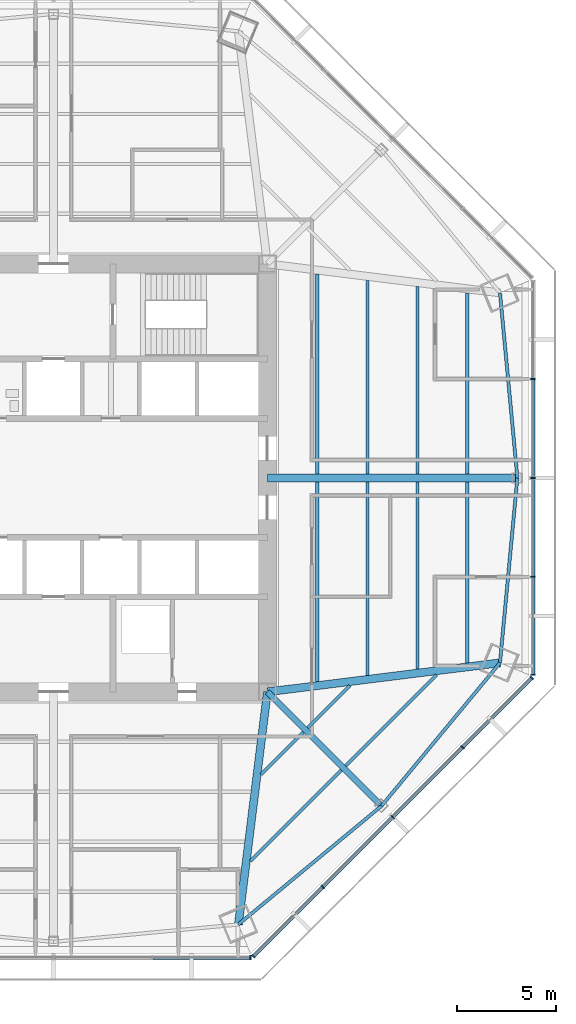
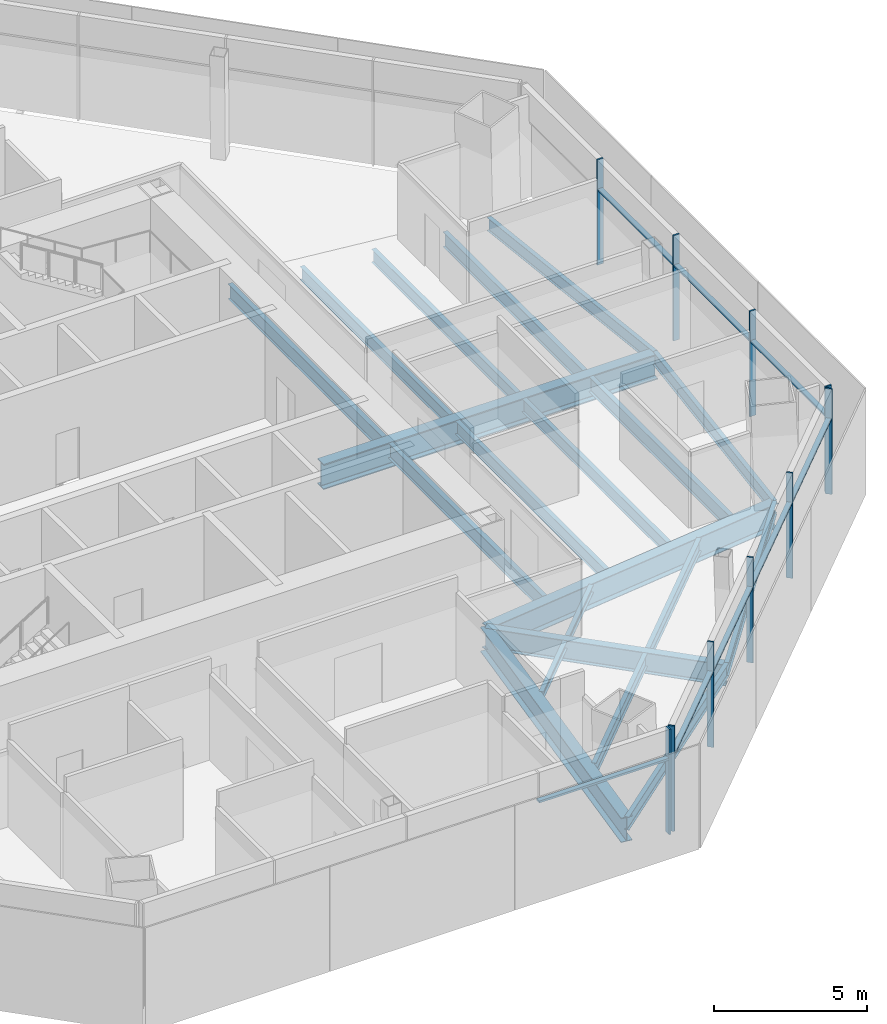
# One storey, part 4 of 14: 20 beams, 18 members, 3 elements without a shape of their own.
"""IFC4 building model written with IfcOpenShell, lengths in metres."""

from ifc_helpers import new_model, si_unit, direction, frame, origin, origin_2d, place, context, subcontext, project, spatial, rectangle, i_section, extrude, source, transform, mapped, material, material_profile, profile_set, type_object, type_shapes, element, aggregate, save


model = new_model("IFC4")

# Units and contexts
model_context = context("Model", 3, precision=1e-05, world=origin(), true_north=direction((0.0, 1.0)))
body_context = subcontext(model_context, "Body", "Model", "MODEL_VIEW")
ifc_project = project(units=[si_unit("LENGTHUNIT", "METRE"), si_unit("AREAUNIT", "SQUARE_METRE"), si_unit("VOLUMEUNIT", "CUBIC_METRE"), si_unit("PLANEANGLEUNIT", "RADIAN"), si_unit("MASSUNIT", "GRAM", prefix="KILO")], contexts=[model_context])

# Site, building, storey
site_placement = place(None, origin())
site = spatial("IfcSite", under=ifc_project, at=site_placement, CompositionType="ELEMENT")
building_placement = place(site_placement, origin())
building = spatial("IfcBuilding", under=site, at=building_placement, Name="Mashrafa Tower", CompositionType="ELEMENT")
storey_placement = place(building_placement, frame((0.0, 0.0, 134.39990234375)))
storey = spatial("IfcBuildingStorey", under=building, at=storey_placement, Name="L30", CompositionType="ELEMENT", Elevation=134.39990234375)

# Beams
ifc_material_1 = material(Name="Steel ASTM A992", Category="steel")
ifc_material_profile_1 = material_profile(ifc_material_1, i_section(OverallWidth=0.164794921875, OverallDepth=0.309814453125, WebThickness=0.005859375, FlangeThickness=0.009765625, FilletRadius=0.007568359375, at=origin_2d()), Name="W12X26")
ifc_profile_set_1 = profile_set([ifc_material_profile_1], Name="Steel ASTM A992")
beam_type_1 = type_object("IfcBeamType", Name="Beam W12X26", PredefinedType="BEAM", material=ifc_profile_set_1)
for number, where, z_axis, x_axis, name in (
    (1, (12.6162109375, -12.82275390625, -0.31982421875), (-0.707106781187, -0.707106781187, 0.0), (0.707106781187, -0.707106781187, 0.0), "Floor beam L30 035"),
    (2, (14.955078125, -10.48388671875, -0.31982421875), (-0.707106781187, -0.707106781187, 0.0), (0.707106781187, -0.707106781187, 0.0), "Floor beam L30 041"),
):
    element("IfcBeam", number, at=place(storey_placement, frame(where, z_axis=z_axis, x_axis=x_axis)), inside=storey, type_object=beam_type_1, Name=name, PredefinedType="BEAM", context=body_context, shape_type="SweptSolid", body=[
        extrude(i_section(OverallWidth=0.164794921875, OverallDepth=0.309814453125, WebThickness=0.005859375, FlangeThickness=0.009765625, FilletRadius=0.007568359375, at=origin_2d()), origin(), (0.0, 0.0, 1.0), 3.015625),
    ])
ifc_material_2 = material(Name="Steel ASTM A992", Category="steel")
ifc_material_profile_2 = material_profile(ifc_material_2, i_section(OverallWidth=0.1650390625, OverallDepth=0.52587890625, WebThickness=0.0087890625, FlangeThickness=0.011474609375, FilletRadius=0.0126953125, at=origin_2d()), Name="W21X44")
ifc_profile_set_2 = profile_set([ifc_material_profile_2], Name="Steel ASTM A992")
beam_type_2 = type_object("IfcBeamType", Name="Beam W21X44", PredefinedType="BEAM", material=ifc_profile_set_2)
beam_1_placement = place(storey_placement, frame((14.535888671875, -14.742431640625, -0.427734375), z_axis=(-0.707125550528, -0.707088011347, 0.0), x_axis=(0.707088011347, -0.707125550528, 0.0)))
element("IfcBeam", 3, at=beam_1_placement, inside=storey, type_object=beam_type_2, Name="Floor beam L30 039", PredefinedType="BEAM", context=body_context, shape_type="SweptSolid", body=[
    extrude(i_section(OverallWidth=0.1650390625, OverallDepth=0.52587890625, WebThickness=0.0087890625, FlangeThickness=0.011474609375, FilletRadius=0.0126953125, at=origin_2d()), origin(), (0.0, 0.0, 1.0), 6.503662109375),
])
for number, where, z_axis, x_axis, name in (
    (4, (15.846923828125, -0.20068359375, -0.427734375), (0.0, -1.0, 0.0), (1.0, 0.0, 0.0), "Floor beam L30 042"),
    (5, (15.846923828125, 9.968505859375, -0.427734375), (0.0, -1.0, 0.0), (1.0, 0.0, 0.0), "Floor beam L30 043"),
):
    element("IfcBeam", number, at=place(storey_placement, frame(where, z_axis=z_axis, x_axis=x_axis)), inside=storey, type_object=beam_type_2, Name=name, PredefinedType="BEAM", context=body_context, shape_type="SweptSolid", body=[
        extrude(i_section(OverallWidth=0.1650390625, OverallDepth=0.52587890625, WebThickness=0.0087890625, FlangeThickness=0.011474609375, FilletRadius=0.0126953125, at=origin_2d()), origin(), (0.0, 0.0, 1.0), 9.767822265625),
    ])
for number, where, z_axis, x_axis, name in (
    (6, (18.370361328125, -0.20068359375, -0.427734375), (0.0, -1.0, 0.0), (1.0, 0.0, 0.0), "Floor beam L30 044"),
    (7, (18.370361328125, 9.65380859375, -0.427734375), (0.0, -1.0, 0.0), (1.0, 0.0, 0.0), "Floor beam L30 045"),
):
    element("IfcBeam", number, at=place(storey_placement, frame(where, z_axis=z_axis, x_axis=x_axis)), inside=storey, type_object=beam_type_2, Name=name, PredefinedType="BEAM", context=body_context, shape_type="SweptSolid", body=[
        extrude(i_section(OverallWidth=0.1650390625, OverallDepth=0.52587890625, WebThickness=0.0087890625, FlangeThickness=0.011474609375, FilletRadius=0.0126953125, at=origin_2d()), origin(), (0.0, 0.0, 1.0), 9.453125),
    ])
beam_2_placement = place(storey_placement, frame((19.341064453125, -9.93701171875, -0.427734375), z_axis=(-0.707088011347, -0.707125550528, 0.0), x_axis=(0.707125550528, -0.707088011347, 0.0)))
element("IfcBeam", 8, at=beam_2_placement, inside=storey, type_object=beam_type_2, Name="Floor beam L30 046", PredefinedType="BEAM", context=body_context, shape_type="SweptSolid", body=[
    extrude(i_section(OverallWidth=0.1650390625, OverallDepth=0.52587890625, WebThickness=0.0087890625, FlangeThickness=0.011474609375, FilletRadius=0.0126953125, at=origin_2d()), origin(), (0.0, 0.0, 1.0), 6.503662109375),
])
for number, where, z_axis, x_axis, name in (
    (9, (9.3359375, -22.539306640625, -0.427734375), (0.770219231101, 0.637779222021, 0.0), (-0.637779222021, 0.770219231101, 0.0), "Spandrel beam L30 074"),
    (10, (16.55859375, -16.55859375, -0.427734375), (0.637779222021, 0.770219231101, 0.0), (-0.770219231101, 0.637779222021, 0.0), "Spandrel beam L30 076"),
):
    element("IfcBeam", number, at=place(storey_placement, frame(where, z_axis=z_axis, x_axis=x_axis)), inside=storey, type_object=beam_type_2, Name=name, PredefinedType="BEAM", context=body_context, shape_type="SweptSolid", body=[
        extrude(i_section(OverallWidth=0.1650390625, OverallDepth=0.52587890625, WebThickness=0.0087890625, FlangeThickness=0.011474609375, FilletRadius=0.0126953125, at=origin_2d()), origin(), (0.0, 0.0, 1.0), 9.37744140625),
    ])
for number, where, z_axis, x_axis, name in (
    (11, (22.539306640625, -9.3359375, -0.427734375), (0.093650410541, 0.995605142918, 0.0), (-0.995605142918, 0.093650410541, 0.0), "Spandrel beam L30 078"),
    (12, (23.41748046875, 0.0, -0.427734375), (-0.093650410541, 0.995605142918, 0.0), (-0.995605142918, -0.093650410541, 0.0), "Spandrel beam L30 080"),
):
    element("IfcBeam", number, at=place(storey_placement, frame(where, z_axis=z_axis, x_axis=x_axis)), inside=storey, type_object=beam_type_2, Name=name, PredefinedType="BEAM", context=body_context, shape_type="SweptSolid", body=[
        extrude(i_section(OverallWidth=0.1650390625, OverallDepth=0.52587890625, WebThickness=0.0087890625, FlangeThickness=0.011474609375, FilletRadius=0.0126953125, at=origin_2d()), origin(), (0.0, 0.0, 1.0), 9.377197265625),
    ])
ifc_material_3 = material(Name="Steel ASTM A992", Category="steel")
ifc_material_profile_3 = material_profile(ifc_material_3, i_section(OverallWidth=0.177978515625, OverallDepth=0.599365234375, WebThickness=0.010009765625, FlangeThickness=0.012939453125, FilletRadius=0.012939453125, at=origin_2d()), Name="W24X55")
ifc_profile_set_3 = profile_set([ifc_material_profile_3], Name="Steel ASTM A992")
beam_type_3 = type_object("IfcBeamType", Name="Beam W24X55", PredefinedType="BEAM", material=ifc_profile_set_3)
for number, where, z_axis, x_axis, name in (
    (13, (13.323486328125, -0.20068359375, -0.464599609375), (0.0, -1.0, 0.0), (1.0, 0.0, 0.0), "Floor beam L30 037"),
    (14, (13.323486328125, 10.283203125, -0.464599609375), (0.0, -1.0, 0.0), (1.0, 0.0, 0.0), "Floor beam L30 038"),
):
    element("IfcBeam", number, at=place(storey_placement, frame(where, z_axis=z_axis, x_axis=x_axis)), inside=storey, type_object=beam_type_3, Name=name, PredefinedType="BEAM", context=body_context, shape_type="SweptSolid", body=[
        extrude(i_section(OverallWidth=0.177978515625, OverallDepth=0.599365234375, WebThickness=0.010009765625, FlangeThickness=0.012939453125, FilletRadius=0.012939453125, at=origin_2d()), origin(), (0.0, 0.0, 1.0), 10.08251953125),
    ])
for number, where, z_axis, x_axis, name in (
    (15, (20.893798828125, -0.20068359375, -0.464599609375), (0.0, -1.0, 0.0), (1.0, 0.0, 0.0), "Floor beam L30 047"),
    (16, (20.893798828125, 9.339111328125, -0.464599609375), (0.0, -1.0, 0.0), (1.0, 0.0, 0.0), "Floor beam L30 048"),
):
    element("IfcBeam", number, at=place(storey_placement, frame(where, z_axis=z_axis, x_axis=x_axis)), inside=storey, type_object=beam_type_3, Name=name, PredefinedType="BEAM", context=body_context, shape_type="SweptSolid", body=[
        extrude(i_section(OverallWidth=0.177978515625, OverallDepth=0.599365234375, WebThickness=0.010009765625, FlangeThickness=0.012939453125, FilletRadius=0.012939453125, at=origin_2d()), origin(), (0.0, 0.0, 1.0), 9.138427734375),
    ])
ifc_material_4 = material(Name="Steel ASTM A992", Category="steel")
ifc_material_profile_4 = material_profile(ifc_material_4, i_section(OverallWidth=0.2919921875, OverallDepth=0.8408203125, WebThickness=0.0146484375, FlangeThickness=0.021728515625, FilletRadius=0.017333984375, at=origin_2d()), Name="W33X130")
ifc_profile_set_4 = profile_set([ifc_material_profile_4], Name="Steel ASTM A992")
beam_type_4 = type_object("IfcBeamType", Name="Beam W33X130", PredefinedType="BEAM", material=ifc_profile_set_4)
beam_3_placement = place(storey_placement, frame((10.800048828125, -10.800048828125, -0.585205078125), z_axis=(0.707106781187, -0.707106781187, 0.0), x_axis=(0.707106781187, 0.707106781187, 0.0)))
element("IfcBeam", 17, at=beam_3_placement, inside=storey, type_object=beam_type_4, Name="Radial girder L30 059", PredefinedType="BEAM", context=body_context, shape_type="SweptSolid", body=[
    extrude(i_section(OverallWidth=0.2919921875, OverallDepth=0.8408203125, WebThickness=0.0146484375, FlangeThickness=0.021728515625, FilletRadius=0.017333984375, at=origin_2d()), origin(), (0.0, 0.0, 1.0), 8.143798828125),
])
ifc_material_5 = material(Name="Steel ASTM A992", Category="steel")
ifc_material_profile_5 = material_profile(ifc_material_5, i_section(OverallWidth=0.4013671875, OverallDepth=0.98291015625, WebThickness=0.0166015625, FlangeThickness=0.027099609375, FilletRadius=0.0126953125, at=origin_2d()), Name="W40X199")
ifc_profile_set_5 = profile_set([ifc_material_profile_5], Name="Steel ASTM A992")
beam_type_5 = type_object("IfcBeamType", Name="Beam W40X199", PredefinedType="BEAM", material=ifc_profile_set_5)
for number, where, z_axis, x_axis, name in (
    (18, (10.800048828125, -10.800048828125, -0.656494140625), (-0.123760415771, -0.992312128057, 0.0), (0.992312128057, -0.123760415771, 0.0), "Radial girder L30 058"),
    (19, (10.800048828125, -10.800048828125, -0.656494140625), (0.992312128057, 0.123760415771, 0.0), (-0.123760415771, 0.992312128057, 0.0), "Radial girder L30 060"),
):
    element("IfcBeam", number, at=place(storey_placement, frame(where, z_axis=z_axis, x_axis=x_axis)), inside=storey, type_object=beam_type_5, Name=name, PredefinedType="BEAM", context=body_context, shape_type="SweptSolid", body=[
        extrude(i_section(OverallWidth=0.4013671875, OverallDepth=0.98291015625, WebThickness=0.0166015625, FlangeThickness=0.027099609375, FilletRadius=0.0126953125, at=origin_2d()), origin(), (0.0, 0.0, 1.0), 11.830322265625),
    ])
ifc_material_6 = material(Name="Steel ASTM A992", Category="steel")
ifc_material_profile_6 = material_profile(ifc_material_6, i_section(OverallWidth=0.4013671875, OverallDepth=1.010986328125, WebThickness=0.023681640625, FlangeThickness=0.0419921875, FilletRadius=0.02001953125, at=origin_2d()), Name="W40X297")
ifc_profile_set_6 = profile_set([ifc_material_profile_6], Name="Steel ASTM A992")
beam_type_6 = type_object("IfcBeamType", Name="Beam W40X297", PredefinedType="BEAM", material=ifc_profile_set_6)
beam_4_placement = place(storey_placement, frame((10.800048828125, 0.0, -0.67041015625), z_axis=(1.0, 0.0, 0.0), x_axis=(0.0, 1.0, 0.0)))
element("IfcBeam", 20, at=beam_4_placement, inside=storey, type_object=beam_type_6, Name="Radial girder L30 061", PredefinedType="BEAM", context=body_context, shape_type="SweptSolid", body=[
    extrude(i_section(OverallWidth=0.4013671875, OverallDepth=1.010986328125, WebThickness=0.023681640625, FlangeThickness=0.0419921875, FilletRadius=0.02001953125, at=origin_2d()), origin(), (0.0, 0.0, 1.0), 12.617431640625),
])

# Curtain wall, members
ifc_material_7 = material(Name="Unitised aluminium curtain wall", Category="aluminium")
curtain_wall_type = type_object("IfcCurtainWallType", Name="Office curtain wall, zone 2 CW-B 225 deep", PredefinedType="NOTDEFINED", material=ifc_material_7)
curtain_wall_1_placement = place(storey_placement, origin())
curtain_wall_1 = element("IfcCurtainWall", 21, at=curtain_wall_1_placement, inside=storey, type_object=curtain_wall_type, Name="Office curtain wall, zone 2 L30 east", PredefinedType="NOTDEFINED")
ifc_material_8 = material(Name="Extruded aluminium mullion", Category="aluminium")
ifc_material_profile_7 = material_profile(ifc_material_8, rectangle(XDim=0.22509765625, YDim=0.06494140625, at=origin_2d()), Name="Mullion 65x225")
ifc_profile_set_7 = profile_set([ifc_material_profile_7], Name="Extruded aluminium mullion")
member_type_1 = type_object("IfcMemberType", Name="Mullion CW-B 65 x 225", PredefinedType="MULLION", material=ifc_profile_set_7)
shared_shape_1 = source(origin(), body_context, "Body", "SweptSolid", [
    extrude(rectangle(XDim=0.22509765625, YDim=0.06494140625, at=origin_2d()), origin(), (0.0, 0.0, 1.0), 4.2001953125),
])
type_shapes(member_type_1, [shared_shape_1])
member_1_placement = place(storey_placement, frame((24.212646484375, -9.940185546875, 0.0), z_axis=(0.0, 0.0, 1.0), x_axis=(-1.0, 0.0, 0.0)))
member_1 = element("IfcMember", 22, at=member_1_placement, type_object=member_type_1, Name="CW-B mullion 1", PredefinedType="MULLION", context=body_context, shape_type="MappedRepresentation", body=[
    mapped(shared_shape_1, transform((0.0, 0.0, 0.0))),
])
member_2_placement = place(storey_placement, frame((24.212646484375, -4.986328125, 0.0), z_axis=(0.0, 0.0, 1.0), x_axis=(-1.0, 0.0, 0.0)))
member_2 = element("IfcMember", 23, at=member_2_placement, type_object=member_type_1, Name="CW-B mullion 2", PredefinedType="MULLION", context=body_context, shape_type="MappedRepresentation", body=[
    mapped(shared_shape_1, transform((0.0, 0.0, 0.0))),
])
member_3_placement = place(storey_placement, frame((24.212646484375, 0.0, 0.0), z_axis=(0.0, 0.0, 1.0), x_axis=(-1.0, 0.0, 0.0)))
member_3 = element("IfcMember", 24, at=member_3_placement, type_object=member_type_1, Name="CW-B mullion 3", PredefinedType="MULLION", context=body_context, shape_type="MappedRepresentation", body=[
    mapped(shared_shape_1, transform((0.0, 0.0, 0.0))),
])
member_4_placement = place(storey_placement, frame((24.212646484375, 4.986328125, 0.0), z_axis=(0.0, 0.0, 1.0), x_axis=(-1.0, 0.0, 0.0)))
member_4 = element("IfcMember", 25, at=member_4_placement, type_object=member_type_1, Name="CW-B mullion 4", PredefinedType="MULLION", context=body_context, shape_type="MappedRepresentation", body=[
    mapped(shared_shape_1, transform((0.0, 0.0, 0.0))),
])

# Curtain wall, member
curtain_wall_2_placement = place(storey_placement, origin())
curtain_wall_2 = element("IfcCurtainWall", 26, at=curtain_wall_2_placement, inside=storey, type_object=curtain_wall_type, Name="Office curtain wall, zone 2 L30 south", PredefinedType="NOTDEFINED")
member_5_placement = place(storey_placement, frame((9.940185546875, -24.212646484375, 0.0), z_axis=(0.0, 0.0, 1.0), x_axis=(0.0, 1.0, 0.0)))
member_5 = element("IfcMember", 27, at=member_5_placement, type_object=member_type_1, Name="CW-B mullion 5", PredefinedType="MULLION", context=body_context, shape_type="MappedRepresentation", body=[
    mapped(shared_shape_1, transform((0.0, 0.0, 0.0))),
])

# Curtain wall, members
curtain_wall_3_placement = place(storey_placement, origin())
curtain_wall_3 = element("IfcCurtainWall", 28, at=curtain_wall_3_placement, inside=storey, type_object=curtain_wall_type, Name="Office curtain wall, zone 2 L30 south-east", PredefinedType="NOTDEFINED")
member_6_placement = place(storey_placement, frame((10.09228515625, -24.149658203125, 0.0), z_axis=(0.0, 0.0, 1.0), x_axis=(-0.707106781187, 0.707106781187, 0.0)))
member_6 = element("IfcMember", 29, at=member_6_placement, type_object=member_type_1, Name="CW-B mullion 1", PredefinedType="MULLION", context=body_context, shape_type="MappedRepresentation", body=[
    mapped(shared_shape_1, transform((0.0, 0.0, 0.0))),
])
member_7_placement = place(storey_placement, frame((13.59521484375, -20.646728515625, 0.0), z_axis=(0.0, 0.0, 1.0), x_axis=(-0.707106781187, 0.707106781187, 0.0)))
member_7 = element("IfcMember", 30, at=member_7_placement, type_object=member_type_1, Name="CW-B mullion 2", PredefinedType="MULLION", context=body_context, shape_type="MappedRepresentation", body=[
    mapped(shared_shape_1, transform((0.0, 0.0, 0.0))),
])
member_8_placement = place(storey_placement, frame((17.12109375, -17.12109375, 0.0), z_axis=(0.0, 0.0, 1.0), x_axis=(-0.707106781187, 0.707106781187, 0.0)))
member_8 = element("IfcMember", 31, at=member_8_placement, type_object=member_type_1, Name="CW-B mullion 3", PredefinedType="MULLION", context=body_context, shape_type="MappedRepresentation", body=[
    mapped(shared_shape_1, transform((0.0, 0.0, 0.0))),
])
member_9_placement = place(storey_placement, frame((20.646728515625, -13.59521484375, 0.0), z_axis=(0.0, 0.0, 1.0), x_axis=(-0.707106781187, 0.707106781187, 0.0)))
member_9 = element("IfcMember", 32, at=member_9_placement, type_object=member_type_1, Name="CW-B mullion 4", PredefinedType="MULLION", context=body_context, shape_type="MappedRepresentation", body=[
    mapped(shared_shape_1, transform((0.0, 0.0, 0.0))),
])
member_10_placement = place(storey_placement, frame((24.149658203125, -10.09228515625, 0.0), z_axis=(0.0, 0.0, 1.0), x_axis=(-0.707106781187, 0.707106781187, 0.0)))
member_10 = element("IfcMember", 33, at=member_10_placement, type_object=member_type_1, Name="CW-B mullion 5", PredefinedType="MULLION", context=body_context, shape_type="MappedRepresentation", body=[
    mapped(shared_shape_1, transform((0.0, 0.0, 0.0))),
])

# Member
ifc_material_9 = material(Name="Extruded aluminium transom", Category="aluminium")
ifc_material_profile_8 = material_profile(ifc_material_9, rectangle(XDim=0.179931640625, YDim=0.080078125, at=origin_2d()), Name="Transom 80x180")
ifc_profile_set_8 = profile_set([ifc_material_profile_8], Name="Extruded aluminium transom")
member_type_2 = type_object("IfcMemberType", Name="Transom CW-B 80 x 180", PredefinedType="MULLION", material=ifc_profile_set_8)
shared_shape_2 = source(origin(), body_context, "Body", "SweptSolid", [
    extrude(rectangle(XDim=0.179931640625, YDim=0.080078125, at=origin_2d()), origin(), (0.0, 0.0, 1.0), 4.888916015625),
])
member_11_placement = place(storey_placement, frame((24.212646484375, -9.90771484375, 3.0), z_axis=(0.0, 1.0, 0.0), x_axis=(-1.0, 0.0, 0.0)))
member_11 = element("IfcMember", 34, at=member_11_placement, type_object=member_type_2, Name="CW-B transom 1", PredefinedType="MULLION", context=body_context, shape_type="MappedRepresentation", body=[
    mapped(shared_shape_2, transform((0.0, 0.0, 0.0))),
])

member_12_placement = place(storey_placement, frame((5.018798828125, -24.212646484375, 3.0), z_axis=(1.0, 0.0, 0.0), x_axis=(0.0, 1.0, 0.0)))
member_12 = element("IfcMember", 35, at=member_12_placement, type_object=member_type_2, Name="CW-B transom 4", PredefinedType="MULLION", context=body_context, shape_type="MappedRepresentation", body=[
    mapped(shared_shape_2, transform((0.0, 0.0, 0.0))),
])

aggregate(curtain_wall_2, [member_5, member_12])

shared_shape_3 = source(origin(), body_context, "Body", "SweptSolid", [
    extrude(rectangle(XDim=0.179931640625, YDim=0.080078125, at=origin_2d()), origin(), (0.0, 0.0, 1.0), 4.92138671875),
])
member_13_placement = place(storey_placement, frame((24.212646484375, -4.953857421875, 3.0), z_axis=(0.0, 1.0, 0.0), x_axis=(-1.0, 0.0, 0.0)))
member_13 = element("IfcMember", 36, at=member_13_placement, type_object=member_type_2, Name="CW-B transom 2", PredefinedType="MULLION", context=body_context, shape_type="MappedRepresentation", body=[
    mapped(shared_shape_3, transform((0.0, 0.0, 0.0))),
])

member_14_placement = place(storey_placement, frame((24.212646484375, 0.032470703125, 3.0), z_axis=(0.0, 1.0, 0.0), x_axis=(-1.0, 0.0, 0.0)))
member_14 = element("IfcMember", 37, at=member_14_placement, type_object=member_type_2, Name="CW-B transom 3", PredefinedType="MULLION", context=body_context, shape_type="MappedRepresentation", body=[
    mapped(shared_shape_3, transform((0.0, 0.0, 0.0))),
])

aggregate(curtain_wall_1, [member_1, member_2, member_3, member_4, member_11, member_13, member_14])

shared_shape_4 = source(origin(), body_context, "Body", "SweptSolid", [
    extrude(rectangle(XDim=0.179931640625, YDim=0.080078125, at=origin_2d()), origin(), (0.0, 0.0, 1.0), 4.888671875),
])
member_15_placement = place(storey_placement, frame((10.115234375, -24.126708984375, 3.0), z_axis=(0.707106781187, 0.707106781187, 0.0), x_axis=(-0.707106781187, 0.707106781187, 0.0)))
member_15 = element("IfcMember", 38, at=member_15_placement, type_object=member_type_2, Name="CW-B transom 1", PredefinedType="MULLION", context=body_context, shape_type="MappedRepresentation", body=[
    mapped(shared_shape_4, transform((0.0, 0.0, 0.0))),
])

member_16_placement = place(storey_placement, frame((20.669921875, -13.572021484375, 3.0), z_axis=(0.707106781187, 0.707106781187, 0.0), x_axis=(-0.707106781187, 0.707106781187, 0.0)))
member_16 = element("IfcMember", 39, at=member_16_placement, type_object=member_type_2, Name="CW-B transom 4", PredefinedType="MULLION", context=body_context, shape_type="MappedRepresentation", body=[
    mapped(shared_shape_4, transform((0.0, 0.0, 0.0))),
])

shared_shape_5 = source(origin(), body_context, "Body", "SweptSolid", [
    extrude(rectangle(XDim=0.179931640625, YDim=0.080078125, at=origin_2d()), origin(), (0.0, 0.0, 1.0), 4.921142578125),
])
type_shapes(member_type_2, [shared_shape_2, shared_shape_3, shared_shape_4, shared_shape_5])
member_17_placement = place(storey_placement, frame((13.6181640625, -20.623779296875, 3.0), z_axis=(0.707106781187, 0.707106781187, 0.0), x_axis=(-0.707106781187, 0.707106781187, 0.0)))
member_17 = element("IfcMember", 40, at=member_17_placement, type_object=member_type_2, Name="CW-B transom 2", PredefinedType="MULLION", context=body_context, shape_type="MappedRepresentation", body=[
    mapped(shared_shape_5, transform((0.0, 0.0, 0.0))),
])

member_18_placement = place(storey_placement, frame((17.14404296875, -17.097900390625, 3.0), z_axis=(0.707106781187, 0.707106781187, 0.0), x_axis=(-0.707106781187, 0.707106781187, 0.0)))
member_18 = element("IfcMember", 41, at=member_18_placement, type_object=member_type_2, Name="CW-B transom 3", PredefinedType="MULLION", context=body_context, shape_type="MappedRepresentation", body=[
    mapped(shared_shape_5, transform((0.0, 0.0, 0.0))),
])

aggregate(curtain_wall_3, [member_6, member_7, member_8, member_9, member_10, member_15, member_17, member_18, member_16])

save(model, "model.ifc")
